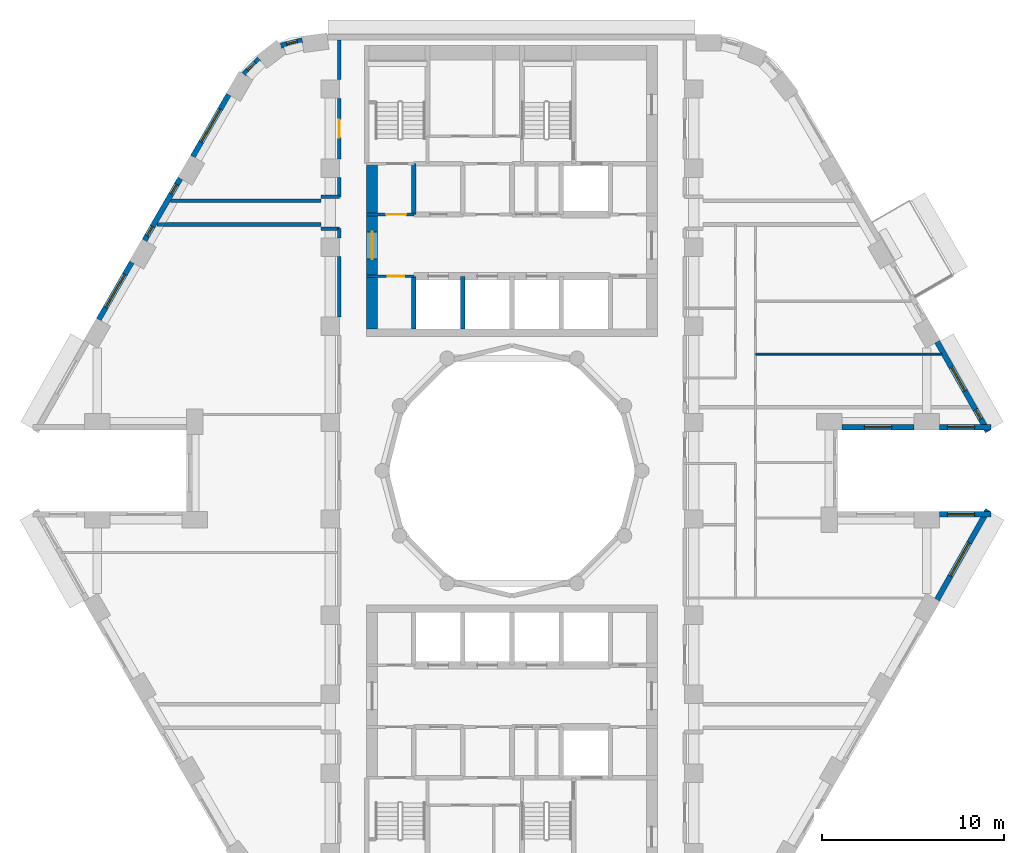
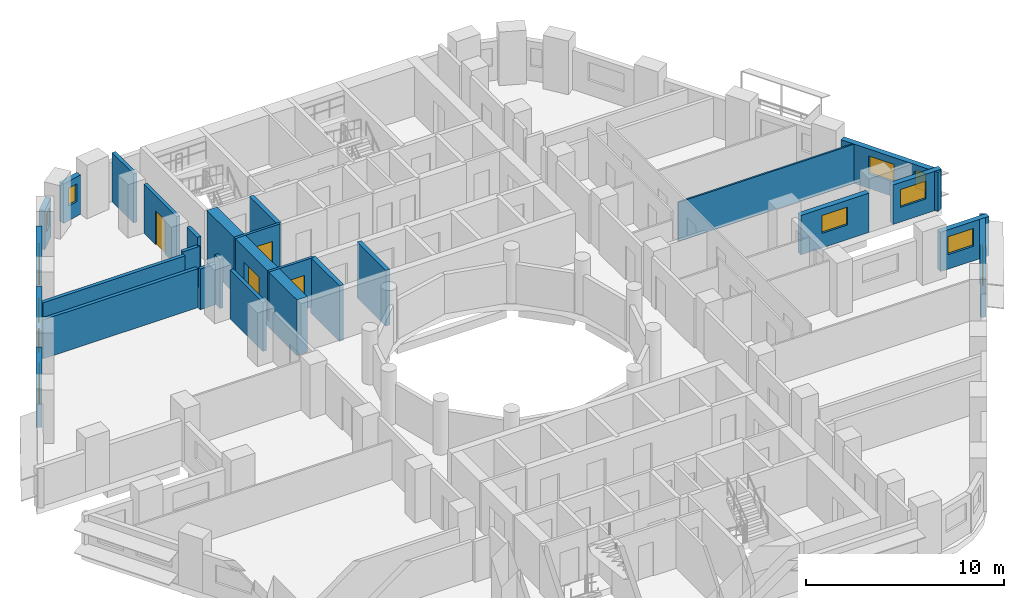
# One storey, part 6 of 13: 26 walls, 12 windows, 4 doors, 16 openings.
"""IFC4 building model written with IfcOpenShell, lengths in metres."""

import ifcopenshell
import ifcopenshell.guid

model = None  # the IFC model being written
_history = None  # IfcOwnerHistory: only IFC2X3 demands one
_inside = {}  # id of a spatial element -> (the spatial element, [elements in it])
_under = {}  # id of a project, library or spatial element -> (it, [spatial elements below it])
_declared = {}  # id of a project -> (the project, [libraries it declares])
_typed = {}  # id of a type object -> (the type object, [elements of that type])
_made_of = {}  # id of a material, layer set ... -> (it, [elements and type objects made of it])


def new_model(schema):
    """Start an empty IFC model of exactly this schema.

    Asked for "IFC4X3", IfcOpenShell would pick the latest addendum, in which some entities
    have other attributes; the version numbers below select the first issue.
    IFC2X3 requires an IfcOwnerHistory on every rooted entity: one is made here for all.
    """
    global model, _history
    if schema == "IFC4X3":
        model = ifcopenshell.file(schema_version=(4, 3, 0, 0))
    else:
        model = ifcopenshell.file(schema=schema)
    _inside.clear()
    _under.clear()
    _declared.clear()
    _typed.clear()
    _made_of.clear()
    _history = None
    if model.schema == "IFC2X3":
        org = make("IfcOrganization", Name="unknown")
        user = make(
            "IfcPersonAndOrganization",
            ThePerson=make("IfcPerson", FamilyName="unknown"),
            TheOrganization=org,
        )
        app = make(
            "IfcApplication",
            ApplicationDeveloper=org,
            Version="unknown",
            ApplicationFullName="unknown",
            ApplicationIdentifier="unknown",
        )
        _history = make(
            "IfcOwnerHistory",
            OwningUser=user,
            OwningApplication=app,
            ChangeAction="ADDED",
            CreationDate=0,
        )
    return model


def make(cls, **values):
    """One entity of the class cls with the attributes given. An attribute that is None is left unset."""
    return model.create_entity(
        cls, **{name: value for name, value in values.items() if value is not None}
    )


def rooted(cls, **values):
    """An entity with a GlobalId (a new one), such as an element, a storey or a relation."""
    return make(cls, GlobalId=ifcopenshell.guid.new(), OwnerHistory=_history, **values)


def si_unit(unit_type, name, prefix=None):
    """IfcSIUnit, for example si_unit("LENGTHUNIT", "METRE", prefix="MILLI")."""
    return make("IfcSIUnit", UnitType=unit_type, Prefix=prefix, Name=name)


def assignment(units):
    """IfcUnitAssignment: the units of a project."""
    return None if units is None else make("IfcUnitAssignment", Units=units)


def point(xyz):
    """IfcCartesianPoint."""
    return None if xyz is None else make("IfcCartesianPoint", Coordinates=xyz)


def direction(xyz):
    """IfcDirection."""
    return None if xyz is None else make("IfcDirection", DirectionRatios=xyz)


def frame(location, z_axis=None, x_axis=None):
    """IfcAxis2Placement3D, a coordinate frame: its origin and axes. An axis left out is left unset."""
    return make(
        "IfcAxis2Placement3D",
        Location=point(location),
        Axis=direction(z_axis),
        RefDirection=direction(x_axis),
    )


def frame_2d(location, x_axis=None):
    """IfcAxis2Placement2D, a coordinate frame in the plane: its origin and x axis."""
    return make(
        "IfcAxis2Placement2D", Location=point(location), RefDirection=direction(x_axis)
    )


def origin():
    """The frame at (0, 0, 0) with its axes left unset."""
    return frame((0.0, 0.0, 0.0))


def place(relative_to, where):
    """IfcLocalPlacement: puts the frame where relative to a parent placement (None: the world)."""
    return make(
        "IfcLocalPlacement", PlacementRelTo=relative_to, RelativePlacement=where
    )


def context(
    kind, dimensions, precision=None, world=None, true_north=None, identifier=None
):
    """IfcGeometricRepresentationContext, for example the 3D "Model" context."""
    return make(
        "IfcGeometricRepresentationContext",
        ContextIdentifier=identifier,
        ContextType=kind,
        CoordinateSpaceDimension=dimensions,
        Precision=precision,
        WorldCoordinateSystem=world,
        TrueNorth=true_north,
    )


def subcontext(parent, identifier, kind, view, scale=None):
    """IfcGeometricRepresentationSubContext, for example "Body" below "Model"."""
    return make(
        "IfcGeometricRepresentationSubContext",
        ContextIdentifier=identifier,
        ContextType=kind,
        ParentContext=parent,
        TargetScale=scale,
        TargetView=view,
    )


def project(units=None, contexts=None):
    """IfcProject with its units and contexts."""
    return rooted(
        "IfcProject",
        Name="project",
        RepresentationContexts=contexts,
        UnitsInContext=assignment(units),
    )


def spatial(cls, under=None, at=None, **own):
    """A site, building, storey or space (cls), placed at a placement, below another one or the project."""
    s = rooted(cls, ObjectPlacement=at, **own)
    if under is not None:
        _under.setdefault(under.id(), (under, []))[1].append(s)
    return s


def profile(cls, at=None, kind="AREA", **sizes):
    """A parametric profile (cls). Its sizes go by their IFC names, for example OverallWidth=200.0."""
    return make(cls, ProfileType=kind, Position=at, **sizes)


def rectangle(**sizes):
    """IfcRectangleProfileDef."""
    return profile("IfcRectangleProfileDef", **sizes)


def extrude(swept, where, along, depth):
    """IfcExtrudedAreaSolid: the profile swept, set in the frame where, extruded along a direction by depth."""
    return make(
        "IfcExtrudedAreaSolid",
        SweptArea=swept,
        Position=where,
        ExtrudedDirection=direction(along),
        Depth=depth,
    )


def shape(context_of_items, identifier, shape_type, items):
    """IfcShapeRepresentation: the items that make up one representation, for example the "Body"."""
    return make(
        "IfcShapeRepresentation",
        ContextOfItems=context_of_items,
        RepresentationIdentifier=identifier,
        RepresentationType=shape_type,
        Items=items,
    )


def material(Name=None, Category=None):
    """IfcMaterial."""
    return make("IfcMaterial", Name=Name, Category=Category)


def layer(
    of_material, thickness, ventilated=None, Name=None, Category=None, Priority=None
):
    """IfcMaterialLayer: one layer of a wall or slab, of a material (None: an air gap)."""
    return make(
        "IfcMaterialLayer",
        Material=of_material,
        LayerThickness=thickness,
        IsVentilated=ventilated,
        Name=Name,
        Category=Category,
        Priority=Priority,
    )


def layer_set(layers, Name=None):
    """IfcMaterialLayerSet."""
    return make("IfcMaterialLayerSet", MaterialLayers=layers, LayerSetName=Name)


def made_of(thing, what):
    """Note that an element or type object is made of a material, layer set ...; save() writes the relation."""
    if what is not None:
        _made_of.setdefault(what.id(), (what, []))[1].append(thing)
    return thing


def type_object(cls, material=None, **own):
    """A type object (cls), such as IfcWallType, which elements share."""
    return made_of(rooted(cls, **own), material)


def element(
    cls,
    number,
    at=None,
    inside=None,
    cuts=None,
    type_object=None,
    material=None,
    context=None,
    identifier="Body",
    shape_type=None,
    held_by="IfcProductDefinitionShape",
    body=None,
    shapes=None,
    **own,
):
    """One element of the class cls, such as IfcWall. Its Tag is "e" and its number.

    at: its placement. inside: the storey or other place that contains it. cuts: it is an
    opening in that element (IfcRelVoidsElement). A single representation is given by context,
    identifier, shape_type and body (its items); several are given by shapes. held_by: the class
    of the entity that holds the representations. save() writes the other relations.
    """
    e = rooted(cls, Tag="e%d" % number, ObjectPlacement=at, **own)
    if body is not None:
        shapes = [shape(context, identifier, shape_type, body)]
    if shapes is not None:
        e.Representation = make(held_by, Representations=shapes)
    if inside is not None:
        _inside.setdefault(inside.id(), (inside, []))[1].append(e)
    if cuts is not None:
        rooted(
            "IfcRelVoidsElement", RelatingBuildingElement=cuts, RelatedOpeningElement=e
        )
    if type_object is not None:
        _typed.setdefault(type_object.id(), (type_object, []))[1].append(e)
    return made_of(e, material)


def fill(opening, filler):
    """IfcRelFillsElement: the door or window that sits in an opening."""
    return rooted(
        "IfcRelFillsElement",
        RelatingOpeningElement=opening,
        RelatedBuildingElement=filler,
    )


def aggregate(whole, parts):
    """IfcRelAggregates: a whole, such as a stair, and the parts it consists of."""
    return rooted("IfcRelAggregates", RelatingObject=whole, RelatedObjects=parts)


def save(model, path):
    """Write the relations noted so far, then the file.

    IfcRelAggregates (storeys below a building ...), IfcRelContainedInSpatialStructure (elements
    in a storey), IfcRelDefinesByType, IfcRelAssociatesMaterial and IfcRelDeclares: one each for
    every whole, place, type object, material and project.
    """
    for whole, parts in _under.values():
        aggregate(whole, parts)
    for where, things in _inside.values():
        rooted(
            "IfcRelContainedInSpatialStructure",
            RelatedElements=things,
            RelatingStructure=where,
        )
    for kind, things in _typed.values():
        rooted("IfcRelDefinesByType", RelatedObjects=things, RelatingType=kind)
    for what, things in _made_of.values():
        rooted("IfcRelAssociatesMaterial", RelatedObjects=things, RelatingMaterial=what)
    for by, libraries in _declared.values():
        rooted("IfcRelDeclares", RelatingContext=by, RelatedDefinitions=libraries)
    model.write(path)


model = new_model("IFC4")

# Units and contexts
model_context = context("Model", 3, precision=1e-05, world=origin(), true_north=direction((0.0, 1.0)))
body_context = subcontext(model_context, "Body", "Model", "MODEL_VIEW")
ifc_project = project(units=[si_unit("LENGTHUNIT", "METRE"), si_unit("AREAUNIT", "SQUARE_METRE"), si_unit("VOLUMEUNIT", "CUBIC_METRE"), si_unit("PLANEANGLEUNIT", "RADIAN"), si_unit("MASSUNIT", "GRAM", prefix="KILO")], contexts=[model_context])

# Site, building, storey
site_placement = place(None, origin())
site = spatial("IfcSite", under=ifc_project, at=site_placement, CompositionType="ELEMENT")
building_placement = place(site_placement, origin())
building = spatial("IfcBuilding", under=site, at=building_placement, Name="Nakaniwa Court", CompositionType="ELEMENT")
storey_placement = place(building_placement, frame((0.0, 0.0, 77.699951171875)))
storey = spatial("IfcBuildingStorey", under=building, at=storey_placement, Name="L19", CompositionType="ELEMENT", Elevation=77.699951171875)

# Walls
ifc_material_1 = material(Name="Acoustic double stud partition")
ifc_layer_1 = layer(ifc_material_1, 0.199951171875)
ifc_layer_set_1 = layer_set([ifc_layer_1], Name="Acoustic double stud partition")
wall_type_1 = type_object("IfcWallType", Name="Acoustic double stud partition 200", PredefinedType="PARTITIONING", material=ifc_layer_set_1)
wall_1_placement = place(storey_placement, frame((60.456787109375, 93.550048828125, 0.0), z_axis=(0.0, 0.0, 1.0), x_axis=(1.0, 0.0, 0.0)))
element("IfcWall", 1, at=wall_1_placement, inside=storey, type_object=wall_type_1, Name="Partition PW-081", PredefinedType="PARTITIONING", context=body_context, shape_type="SweptSolid", body=[
    extrude(rectangle(XDim=9.043212890625, YDim=0.199951171875, at=frame_2d((4.521484375, 0.0))), origin(), (0.0, 0.0, 1.0), 2.405029296875),
])
for number, where, z_axis, x_axis, name in (
    (2, (69.5, 93.324951171875, 0.0), (0.0, 0.0, 1.0), (1.0, 0.0, 0.0), "Partition PW-083"),
    (3, (69.5, 95.074951171875, 0.0), (0.0, 0.0, 1.0), (1.0, 0.0, 0.0), "Partition PW-085"),
):
    element("IfcWall", number, at=place(storey_placement, frame(where, z_axis=z_axis, x_axis=x_axis)), inside=storey, type_object=wall_type_1, Name=name, PredefinedType="PARTITIONING", context=body_context, shape_type="SweptSolid", body=[
        extrude(rectangle(XDim=1.0, YDim=0.199951171875, at=frame_2d((0.5, 0.0))), origin(), (0.0, 0.0, 1.0), 2.505126953125),
    ])
wall_2_placement = place(storey_placement, frame((61.207275390625, 94.85009765625, 0.0), z_axis=(0.0, 0.0, 1.0), x_axis=(1.0, 0.0, 0.0)))
element("IfcWall", 4, at=wall_2_placement, inside=storey, type_object=wall_type_1, Name="Partition PW-087", PredefinedType="PARTITIONING", context=body_context, shape_type="SweptSolid", body=[
    extrude(rectangle(XDim=8.292724609375, YDim=0.199951171875, at=frame_2d((4.146484375, 0.0))), origin(), (0.0, 0.0, 1.0), 2.405029296875),
])
wall_3_placement = place(storey_placement, frame((70.5, 88.467041015625, 0.0), z_axis=(0.0, 0.0, 1.0), x_axis=(0.0, 1.0, 0.0)))
element("IfcWall", 5, at=wall_3_placement, inside=storey, type_object=wall_type_1, Name="Partition PW-102", PredefinedType="PARTITIONING", context=body_context, shape_type="SweptSolid", body=[
    extrude(rectangle(XDim=3.31591796875, YDim=0.199951171875, at=frame_2d((1.657958984375, 0.0))), origin(), (0.0, 0.0, 1.0), 3.025146484375),
])
wall_4_placement = place(storey_placement, frame((70.5, 92.81689453125, 0.0), z_axis=(0.0, 0.0, 1.0), x_axis=(0.0, 1.0, 0.0)))
element("IfcWall", 6, at=wall_4_placement, inside=storey, type_object=wall_type_1, Name="Partition PW-103", PredefinedType="PARTITIONING", context=body_context, shape_type="SweptSolid", body=[
    extrude(rectangle(XDim=0.510986328125, YDim=0.199951171875, at=frame_2d((0.25537109375, 0.0))), origin(), (0.0, 0.0, 1.0), 3.025146484375),
])
wall_5_placement = place(storey_placement, frame((70.5, 95.072021484375, 0.0), z_axis=(0.0, 0.0, 1.0), x_axis=(0.0, 1.0, 0.0)))
element("IfcWall", 7, at=wall_5_placement, inside=storey, type_object=wall_type_1, Name="Partition PW-104", PredefinedType="PARTITIONING", context=body_context, shape_type="SweptSolid", body=[
    extrude(rectangle(XDim=1.06103515625, YDim=0.199951171875, at=frame_2d((0.530517578125, 0.0))), origin(), (0.0, 0.0, 1.0), 3.025146484375),
])

# Wall, opening, door
wall_6_placement = place(storey_placement, frame((70.5, 97.1669921875, 0.0), z_axis=(0.0, 0.0, 1.0), x_axis=(0.0, 1.0, 0.0)))
wall_6 = element("IfcWall", 8, at=wall_6_placement, inside=storey, type_object=wall_type_1, Name="Partition PW-105", PredefinedType="PARTITIONING", context=body_context, shape_type="SweptSolid", body=[
    extrude(rectangle(XDim=3.31591796875, YDim=0.199951171875, at=frame_2d((1.657958984375, 0.0))), origin(), (0.0, 0.0, 1.0), 3.025146484375),
])
opening_1_placement = place(wall_6_placement, frame((1.157958984375, 0.0, 0.0)))
opening_1 = element("IfcOpeningElement", 9, at=opening_1_placement, cuts=wall_6, Name="Opening D-02-07", PredefinedType="OPENING", context=body_context, shape_type="SweptSolid", body=[
    extrude(rectangle(XDim=1.0, YDim=2.10009765625, at=frame_2d((0.5, 1.050048828125))), frame((0.0, 0.10986328125, 0.0), z_axis=(0.0, -1.0, 0.0), x_axis=(1.0, 0.0, 0.0)), (0.0, 0.0, 1.0), 0.219970703125),
])
ifc_material_2 = material(Name="Solid core timber door set, black veneer", Category="wood")
door_type_1 = type_object("IfcDoorType", Name="Internal door 1000", OperationType="NOTDEFINED", PredefinedType="DOOR", material=ifc_material_2)
door_1_placement = place(opening_1_placement, origin())
door_1 = element("IfcDoor", 10, at=door_1_placement, inside=storey, type_object=door_type_1, Name="Door D-02-07 L19-045", OperationType="SINGLE_SWING_RIGHT", OverallHeight=2.10009765625, OverallWidth=1.0, PredefinedType="DOOR", context=body_context, shape_type="SweptSolid", body=[
    extrude(rectangle(XDim=1.0, YDim=2.10009765625, at=frame_2d((0.5, 1.050048828125))), frame((0.0, 0.02490234375, 0.0), z_axis=(0.0, -1.0, 0.0), x_axis=(1.0, 0.0, 0.0)), (0.0, 0.0, 1.0), 0.050048828125),
])
fill(opening_1, door_1)

# Wall
wall_7_placement = place(storey_placement, frame((70.5, 101.51708984375, 0.0), z_axis=(0.0, 0.0, 1.0), x_axis=(0.0, 1.0, 0.0)))
element("IfcWall", 11, at=wall_7_placement, inside=storey, type_object=wall_type_1, Name="Partition PW-106", PredefinedType="PARTITIONING", context=body_context, shape_type="SweptSolid", body=[
    extrude(rectangle(XDim=2.182861328125, YDim=0.199951171875, at=frame_2d((1.09130859375, 0.0))), origin(), (0.0, 0.0, 1.0), 3.025146484375),
])

# Wall, opening, window
ifc_material_3 = material(Name="Charcoal ceramic cladding")
ifc_layer_2 = layer(ifc_material_3, 0.02, Name="Ceramic cladding")
ifc_material_4 = material(Name="Ventilated air cavity")
ifc_layer_3 = layer(ifc_material_4, 0.04, ventilated=True, Name="Ventilated cavity")
ifc_material_5 = material(Name="Mineral wool insulation")
ifc_layer_4 = layer(ifc_material_5, 0.1, Name="Insulation")
ifc_material_6 = material(Name="Cement bonded sheathing board")
ifc_layer_5 = layer(ifc_material_6, 0.012, Name="Sheathing")
ifc_material_7 = material(Name="Cold-formed galvanised stud frame with mineral wool infill")
ifc_layer_6 = layer(ifc_material_7, 0.1, Name="Stud frame")
ifc_material_8 = material(Name="Fire-rated gypsum plasterboard lining")
ifc_layer_7 = layer(ifc_material_8, 0.028, Name="Lining")
ifc_layer_set_2 = layer_set([ifc_layer_2, ifc_layer_3, ifc_layer_4, ifc_layer_5, ifc_layer_6, ifc_layer_7], Name="Charcoal ceramic faced external wall system")
wall_type_2 = type_object("IfcWallType", Name="Black ceramic faced external wall 300", PredefinedType="SOLIDWALL", material=ifc_layer_set_2)
wall_8_placement = place(storey_placement, frame((98.154296875, 82.39990234375, 0.0), z_axis=(0.0, 0.0, 1.0), x_axis=(1.0, 0.0, 0.0)))
wall_8 = element("IfcWall", 12, at=wall_8_placement, inside=storey, type_object=wall_type_2, Name="L19 external wall 00", PredefinedType="SOLIDWALL", context=body_context, shape_type="SweptSolid", body=[
    extrude(rectangle(XDim=3.97265625, YDim=0.300048828125, at=frame_2d((1.986328125, 0.0))), origin(), (0.0, 0.0, 1.0), 2.425048828125),
])
opening_2_placement = place(wall_8_placement, frame((1.236328125, 0.0, 0.89990234375)))
opening_2 = element("IfcOpeningElement", 13, at=opening_2_placement, cuts=wall_8, Name="Opening W5.01", PredefinedType="OPENING", context=body_context, shape_type="SweptSolid", body=[
    extrude(rectangle(XDim=1.5, YDim=1.10009765625, at=frame_2d((0.75, 0.550048828125))), frame((0.0, 0.159912109375, 0.0), z_axis=(0.0, -1.0, 0.0), x_axis=(1.0, 0.0, 0.0)), (0.0, 0.0, 1.0), 0.320068359375),
])
ifc_material_9 = material(Name="Black anodised aluminium frame with dark low-E laminated double glazing", Category="aluminium")
window_type_1 = type_object("IfcWindowType", Name="Dark glass window 1500x1100 sill 900", PartitioningType="SINGLE_PANEL", PredefinedType="WINDOW", material=ifc_material_9)
window_1_placement = place(opening_2_placement, origin())
window_1 = element("IfcWindow", 14, at=window_1_placement, inside=storey, type_object=window_type_1, Name="L19 bedroom window 00-0", OverallHeight=1.10009765625, OverallWidth=1.5, PartitioningType="SINGLE_PANEL", PredefinedType="WINDOW", context=body_context, shape_type="SweptSolid", body=[
    extrude(rectangle(XDim=1.5, YDim=1.10009765625, at=frame_2d((0.75, 0.550048828125))), frame((0.0, 0.030029296875, 0.0), z_axis=(0.0, -1.0, 0.0), x_axis=(1.0, 0.0, 0.0)), (0.0, 0.0, 1.0), 0.06005859375),
])
fill(opening_2, window_1)

wall_9_placement = place(storey_placement, frame((103.518798828125, 82.39990234375, 0.0), z_axis=(0.0, 0.0, 1.0), x_axis=(1.0, 0.0, 0.0)))
wall_9 = element("IfcWall", 15, at=wall_9_placement, inside=storey, type_object=wall_type_2, Name="L19 external wall 01", PredefinedType="SOLIDWALL", context=body_context, shape_type="SweptSolid", body=[
    extrude(rectangle(XDim=2.837890625, YDim=0.300048828125, at=frame_2d((1.4189453125, 0.0))), origin(), (0.0, 0.0, 1.0), 2.425048828125),
])
opening_3_placement = place(wall_9_placement, frame((0.44384765625, 0.0, 0.89990234375)))
opening_3 = element("IfcOpeningElement", 16, at=opening_3_placement, cuts=wall_9, Name="Opening W5.02", PredefinedType="OPENING", context=body_context, shape_type="SweptSolid", body=[
    extrude(rectangle(XDim=1.5, YDim=1.10009765625, at=frame_2d((0.75, 0.550048828125))), frame((0.0, 0.159912109375, 0.0), z_axis=(0.0, -1.0, 0.0), x_axis=(1.0, 0.0, 0.0)), (0.0, 0.0, 1.0), 0.320068359375),
])
window_2_placement = place(opening_3_placement, origin())
window_2 = element("IfcWindow", 17, at=window_2_placement, inside=storey, type_object=window_type_1, Name="L19 bedroom window 01-0", OverallHeight=1.10009765625, OverallWidth=1.5, PartitioningType="SINGLE_PANEL", PredefinedType="WINDOW", context=body_context, shape_type="SweptSolid", body=[
    extrude(rectangle(XDim=1.5, YDim=1.10009765625, at=frame_2d((0.75, 0.550048828125))), frame((0.0, 0.030029296875, 0.0), z_axis=(0.0, -1.0, 0.0), x_axis=(1.0, 0.0, 0.0)), (0.0, 0.0, 1.0), 0.06005859375),
])
fill(opening_3, window_2)

# Wall, openings, windows
wall_10_placement = place(storey_placement, frame((106.18603515625, 82.1533203125, 0.0), z_axis=(0.0, 0.0, 1.0), x_axis=(-0.492456858874, 0.870336855561, 0.0)))
wall_10 = element("IfcWall", 18, at=wall_10_placement, inside=storey, type_object=wall_type_2, Name="L19 external wall 02", PredefinedType="SOLIDWALL", context=body_context, shape_type="SweptSolid", body=[
    extrude(rectangle(XDim=5.676513671875, YDim=0.300048828125, at=frame_2d((2.83837890625, 0.0))), origin(), (0.0, 0.0, 1.0), 2.425048828125),
])
opening_4_placement = place(wall_10_placement, frame((0.797607421875, 0.0, 0.89990234375)))
opening_4 = element("IfcOpeningElement", 19, at=opening_4_placement, cuts=wall_10, Name="Opening W8.03", PredefinedType="OPENING", context=body_context, shape_type="SweptSolid", body=[
    extrude(rectangle(XDim=0.60009765625, YDim=1.10009765625, at=frame_2d((0.300048828125, 0.550048828125))), frame((0.0, 0.159912109375, 0.0), z_axis=(0.0, -1.0, 0.0), x_axis=(1.0, 0.0, 0.0)), (0.0, 0.0, 1.0), 0.320068359375),
])
opening_5_placement = place(wall_10_placement, frame((2.569580078125, 0.0, 0.89990234375)))
opening_5 = element("IfcOpeningElement", 20, at=opening_5_placement, cuts=wall_10, Name="Opening W5.04", PredefinedType="OPENING", context=body_context, shape_type="SweptSolid", body=[
    extrude(rectangle(XDim=1.5, YDim=1.10009765625, at=frame_2d((0.75, 0.550048828125))), frame((0.0, 0.159912109375, 0.0), z_axis=(0.0, -1.0, 0.0), x_axis=(1.0, 0.0, 0.0)), (0.0, 0.0, 1.0), 0.320068359375),
])
window_3_placement = place(opening_5_placement, origin())
window_3 = element("IfcWindow", 21, at=window_3_placement, inside=storey, type_object=window_type_1, Name="L19 bedroom window 02-1", OverallHeight=1.10009765625, OverallWidth=1.5, PartitioningType="SINGLE_PANEL", PredefinedType="WINDOW", context=body_context, shape_type="SweptSolid", body=[
    extrude(rectangle(XDim=1.5, YDim=1.10009765625, at=frame_2d((0.75, 0.550048828125))), frame((0.0, 0.030029296875, 0.0), z_axis=(0.0, -1.0, 0.0), x_axis=(1.0, 0.0, 0.0)), (0.0, 0.0, 1.0), 0.06005859375),
])
fill(opening_5, window_3)
window_type_2 = type_object("IfcWindowType", Name="Dark glass window 600x1100 sill 900", PartitioningType="SINGLE_PANEL", PredefinedType="WINDOW", material=ifc_material_9)
window_4_placement = place(opening_4_placement, origin())
window_4 = element("IfcWindow", 22, at=window_4_placement, inside=storey, type_object=window_type_2, Name="L19 bedroom window 02-0", OverallHeight=1.10009765625, OverallWidth=0.60009765625, PartitioningType="SINGLE_PANEL", PredefinedType="WINDOW", context=body_context, shape_type="SweptSolid", body=[
    extrude(rectangle(XDim=0.60009765625, YDim=1.10009765625, at=frame_2d((0.300048828125, 0.550048828125))), frame((0.0, 0.030029296875, 0.0), z_axis=(0.0, -1.0, 0.0), x_axis=(1.0, 0.0, 0.0)), (0.0, 0.0, 1.0), 0.06005859375),
])
fill(opening_4, window_4)

# Wall, opening, window
wall_11_placement = place(storey_placement, frame((68.455810546875, 103.68310546875, 0.0), z_axis=(0.0, 0.0, 1.0), x_axis=(-0.969485113966, -0.245150186208, 0.0)))
wall_11 = element("IfcWall", 23, at=wall_11_placement, inside=storey, type_object=wall_type_2, Name="L19 external wall 09", PredefinedType="SOLIDWALL", context=body_context, shape_type="SweptSolid", body=[
    extrude(rectangle(XDim=1.2080078125, YDim=0.300048828125, at=frame_2d((0.60400390625, 0.0))), origin(), (0.0, 0.0, 1.0), 2.425048828125),
])
opening_6_placement = place(wall_11_placement, frame((0.279541015625, 0.0, 0.89990234375)))
opening_6 = element("IfcOpeningElement", 24, at=opening_6_placement, cuts=wall_11, Name="Opening W8.10", PredefinedType="OPENING", context=body_context, shape_type="SweptSolid", body=[
    extrude(rectangle(XDim=0.60009765625, YDim=1.10009765625, at=frame_2d((0.300048828125, 0.550048828125))), frame((0.0, 0.159912109375, 0.0), z_axis=(0.0, -1.0, 0.0), x_axis=(1.0, 0.0, 0.0)), (0.0, 0.0, 1.0), 0.320068359375),
])
window_5_placement = place(opening_6_placement, origin())
window_5 = element("IfcWindow", 25, at=window_5_placement, inside=storey, type_object=window_type_2, Name="L19 habitable room window 09-0", OverallHeight=1.10009765625, OverallWidth=0.60009765625, PartitioningType="SINGLE_PANEL", PredefinedType="WINDOW", context=body_context, shape_type="SweptSolid", body=[
    extrude(rectangle(XDim=0.60009765625, YDim=1.10009765625, at=frame_2d((0.300048828125, 0.550048828125))), frame((0.0, 0.030029296875, 0.0), z_axis=(0.0, -1.0, 0.0), x_axis=(1.0, 0.0, 0.0)), (0.0, 0.0, 1.0), 0.06005859375),
])
fill(opening_6, window_5)

wall_12_placement = place(storey_placement, frame((66.085205078125, 102.66259765625, 0.0), z_axis=(0.0, 0.0, 1.0), x_axis=(-0.708951665509, -0.705257070842, 0.0)))
wall_12 = element("IfcWall", 26, at=wall_12_placement, inside=storey, type_object=wall_type_2, Name="L19 external wall 10", PredefinedType="SOLIDWALL", context=body_context, shape_type="SweptSolid", body=[
    extrude(rectangle(XDim=1.189453125, YDim=0.300048828125, at=frame_2d((0.5947265625, 0.0))), origin(), (0.0, 0.0, 1.0), 2.425048828125),
])
opening_7_placement = place(wall_12_placement, frame((0.284423828125, 0.0, 0.89990234375)))
opening_7 = element("IfcOpeningElement", 27, at=opening_7_placement, cuts=wall_12, Name="Opening W8.11", PredefinedType="OPENING", context=body_context, shape_type="SweptSolid", body=[
    extrude(rectangle(XDim=0.60009765625, YDim=1.10009765625, at=frame_2d((0.300048828125, 0.550048828125))), frame((0.0, 0.159912109375, 0.0), z_axis=(0.0, -1.0, 0.0), x_axis=(1.0, 0.0, 0.0)), (0.0, 0.0, 1.0), 0.320068359375),
])
window_6_placement = place(opening_7_placement, origin())
window_6 = element("IfcWindow", 28, at=window_6_placement, inside=storey, type_object=window_type_2, Name="L19 habitable room window 10-0", OverallHeight=1.10009765625, OverallWidth=0.60009765625, PartitioningType="SINGLE_PANEL", PredefinedType="WINDOW", context=body_context, shape_type="SweptSolid", body=[
    extrude(rectangle(XDim=0.60009765625, YDim=1.10009765625, at=frame_2d((0.300048828125, 0.550048828125))), frame((0.0, 0.030029296875, 0.0), z_axis=(0.0, -1.0, 0.0), x_axis=(1.0, 0.0, 0.0)), (0.0, 0.0, 1.0), 0.06005859375),
])
fill(opening_7, window_6)

wall_13_placement = place(storey_placement, frame((64.40966796875, 100.69677734375, 0.0), z_axis=(0.0, 0.0, 1.0), x_axis=(-0.500003583557, -0.866023334807, 0.0)))
wall_13 = element("IfcWall", 29, at=wall_13_placement, inside=storey, type_object=wall_type_2, Name="L19 external wall 11", PredefinedType="SOLIDWALL", context=body_context, shape_type="SweptSolid", body=[
    extrude(rectangle(XDim=3.93408203125, YDim=0.300048828125, at=frame_2d((1.967041015625, 0.0))), origin(), (0.0, 0.0, 1.0), 2.425048828125),
])
opening_8_placement = place(wall_13_placement, frame((0.9169921875, 0.0, 0.89990234375)))
opening_8 = element("IfcOpeningElement", 30, at=opening_8_placement, cuts=wall_13, Name="Opening W7.12", PredefinedType="OPENING", context=body_context, shape_type="SweptSolid", body=[
    extrude(rectangle(XDim=2.10009765625, YDim=1.10009765625, at=frame_2d((1.050048828125, 0.550048828125))), frame((0.0, 0.159912109375, 0.0), z_axis=(0.0, -1.0, 0.0), x_axis=(1.0, 0.0, 0.0)), (0.0, 0.0, 1.0), 0.320068359375),
])
window_type_3 = type_object("IfcWindowType", Name="Dark glass window 2100x1100 sill 900", PartitioningType="SINGLE_PANEL", PredefinedType="WINDOW", material=ifc_material_9)
window_7_placement = place(opening_8_placement, origin())
window_7 = element("IfcWindow", 31, at=window_7_placement, inside=storey, type_object=window_type_3, Name="L19 habitable room window 11-0", OverallHeight=1.10009765625, OverallWidth=2.10009765625, PartitioningType="SINGLE_PANEL", PredefinedType="WINDOW", context=body_context, shape_type="SweptSolid", body=[
    extrude(rectangle(XDim=2.10009765625, YDim=1.10009765625, at=frame_2d((1.050048828125, 0.550048828125))), frame((0.0, 0.030029296875, 0.0), z_axis=(0.0, -1.0, 0.0), x_axis=(1.0, 0.0, 0.0)), (0.0, 0.0, 1.0), 0.06005859375),
])
fill(opening_8, window_7)

# Wall, openings, windows
wall_14_placement = place(storey_placement, frame((61.74658203125, 96.08447265625, 0.0), z_axis=(0.0, 0.0, 1.0), x_axis=(-0.499957037901, -0.866050206543, 0.0)))
wall_14 = element("IfcWall", 32, at=wall_14_placement, inside=storey, type_object=wall_type_2, Name="L19 external wall 12", PredefinedType="SOLIDWALL", context=body_context, shape_type="SweptSolid", body=[
    extrude(rectangle(XDim=3.933837890625, YDim=0.300048828125, at=frame_2d((1.966796875, 0.0))), origin(), (0.0, 0.0, 1.0), 2.425048828125),
])
opening_9_placement = place(wall_14_placement, frame((0.388671875, 0.0, 0.89990234375)))
opening_9 = element("IfcOpeningElement", 33, at=opening_9_placement, cuts=wall_14, Name="Opening W8.13", PredefinedType="OPENING", context=body_context, shape_type="SweptSolid", body=[
    extrude(rectangle(XDim=0.60009765625, YDim=1.10009765625, at=frame_2d((0.300048828125, 0.550048828125))), frame((0.0, 0.159912109375, 0.0), z_axis=(0.0, -1.0, 0.0), x_axis=(1.0, 0.0, 0.0)), (0.0, 0.0, 1.0), 0.320068359375),
])
opening_10_placement = place(wall_14_placement, frame((3.05615234375, 0.0, 0.89990234375)))
opening_10 = element("IfcOpeningElement", 34, at=opening_10_placement, cuts=wall_14, Name="Opening W8.14", PredefinedType="OPENING", context=body_context, shape_type="SweptSolid", body=[
    extrude(rectangle(XDim=0.60009765625, YDim=1.10009765625, at=frame_2d((0.300048828125, 0.550048828125))), frame((0.0, 0.159912109375, 0.0), z_axis=(0.0, -1.0, 0.0), x_axis=(1.0, 0.0, 0.0)), (0.0, 0.0, 1.0), 0.320068359375),
])
window_8_placement = place(opening_9_placement, origin())
window_8 = element("IfcWindow", 35, at=window_8_placement, inside=storey, type_object=window_type_2, Name="L19 habitable room window 12-0", OverallHeight=1.10009765625, OverallWidth=0.60009765625, PartitioningType="SINGLE_PANEL", PredefinedType="WINDOW", context=body_context, shape_type="SweptSolid", body=[
    extrude(rectangle(XDim=0.60009765625, YDim=1.10009765625, at=frame_2d((0.300048828125, 0.550048828125))), frame((0.0, 0.030029296875, 0.0), z_axis=(0.0, -1.0, 0.0), x_axis=(1.0, 0.0, 0.0)), (0.0, 0.0, 1.0), 0.06005859375),
])
fill(opening_9, window_8)
window_9_placement = place(opening_10_placement, origin())
window_9 = element("IfcWindow", 36, at=window_9_placement, inside=storey, type_object=window_type_2, Name="L19 habitable room window 12-2", OverallHeight=1.10009765625, OverallWidth=0.60009765625, PartitioningType="SINGLE_PANEL", PredefinedType="WINDOW", context=body_context, shape_type="SweptSolid", body=[
    extrude(rectangle(XDim=0.60009765625, YDim=1.10009765625, at=frame_2d((0.300048828125, 0.550048828125))), frame((0.0, 0.030029296875, 0.0), z_axis=(0.0, -1.0, 0.0), x_axis=(1.0, 0.0, 0.0)), (0.0, 0.0, 1.0), 0.06005859375),
])
fill(opening_10, window_9)

# Wall, opening, window
wall_15_placement = place(storey_placement, frame((59.083740234375, 91.471923828125, 0.0), z_axis=(0.0, 0.0, 1.0), x_axis=(-0.500009139881, -0.866020126807, 0.0)))
wall_15 = element("IfcWall", 37, at=wall_15_placement, inside=storey, type_object=wall_type_2, Name="L19 external wall 13", PredefinedType="SOLIDWALL", context=body_context, shape_type="SweptSolid", body=[
    extrude(rectangle(XDim=3.63671875, YDim=0.300048828125, at=frame_2d((1.818359375, 0.0))), origin(), (0.0, 0.0, 1.0), 2.425048828125),
])
opening_11_placement = place(wall_15_placement, frame((0.768310546875, 0.0, 0.89990234375)))
opening_11 = element("IfcOpeningElement", 38, at=opening_11_placement, cuts=wall_15, Name="Opening W7.15", PredefinedType="OPENING", context=body_context, shape_type="SweptSolid", body=[
    extrude(rectangle(XDim=2.10009765625, YDim=1.10009765625, at=frame_2d((1.050048828125, 0.550048828125))), frame((0.0, 0.159912109375, 0.0), z_axis=(0.0, -1.0, 0.0), x_axis=(1.0, 0.0, 0.0)), (0.0, 0.0, 1.0), 0.320068359375),
])
window_10_placement = place(opening_11_placement, origin())
window_10 = element("IfcWindow", 39, at=window_10_placement, inside=storey, type_object=window_type_3, Name="L19 habitable room window 13-0", OverallHeight=1.10009765625, OverallWidth=2.10009765625, PartitioningType="SINGLE_PANEL", PredefinedType="WINDOW", context=body_context, shape_type="SweptSolid", body=[
    extrude(rectangle(XDim=2.10009765625, YDim=1.10009765625, at=frame_2d((1.050048828125, 0.550048828125))), frame((0.0, 0.030029296875, 0.0), z_axis=(0.0, -1.0, 0.0), x_axis=(1.0, 0.0, 0.0)), (0.0, 0.0, 1.0), 0.06005859375),
])
fill(opening_11, window_10)

wall_16_placement = place(storey_placement, frame((103.390625, 72.90625, 0.0), z_axis=(0.0, 0.0, 1.0), x_axis=(0.492456858874, 0.870336855561, 0.0)))
wall_16 = element("IfcWall", 40, at=wall_16_placement, inside=storey, type_object=wall_type_2, Name="L19 external wall 32", PredefinedType="SOLIDWALL", context=body_context, shape_type="SweptSolid", body=[
    extrude(rectangle(XDim=5.676513671875, YDim=0.300048828125, at=frame_2d((2.83837890625, 0.0))), origin(), (0.0, 0.0, 1.0), 2.425048828125),
])
opening_12_placement = place(wall_16_placement, frame((1.498046875, 0.0, 0.89990234375)))
opening_12 = element("IfcOpeningElement", 41, at=opening_12_placement, cuts=wall_16, Name="Opening W7.32", PredefinedType="OPENING", context=body_context, shape_type="SweptSolid", body=[
    extrude(rectangle(XDim=2.10009765625, YDim=1.10009765625, at=frame_2d((1.050048828125, 0.550048828125))), frame((0.0, 0.159912109375, 0.0), z_axis=(0.0, -1.0, 0.0), x_axis=(1.0, 0.0, 0.0)), (0.0, 0.0, 1.0), 0.320068359375),
])
window_11_placement = place(opening_12_placement, origin())
window_11 = element("IfcWindow", 42, at=window_11_placement, inside=storey, type_object=window_type_3, Name="L19 living window 32-0", OverallHeight=1.10009765625, OverallWidth=2.10009765625, PartitioningType="SINGLE_PANEL", PredefinedType="WINDOW", context=body_context, shape_type="SweptSolid", body=[
    extrude(rectangle(XDim=2.10009765625, YDim=1.10009765625, at=frame_2d((1.050048828125, 0.550048828125))), frame((0.0, 0.030029296875, 0.0), z_axis=(0.0, -1.0, 0.0), x_axis=(1.0, 0.0, 0.0)), (0.0, 0.0, 1.0), 0.06005859375),
])
fill(opening_12, window_11)

wall_17_placement = place(storey_placement, frame((106.356689453125, 77.60009765625, 0.0), z_axis=(0.0, 0.0, 1.0), x_axis=(-1.0, 0.0, 0.0)))
wall_17 = element("IfcWall", 43, at=wall_17_placement, inside=storey, type_object=wall_type_2, Name="L19 external wall 33", PredefinedType="SOLIDWALL", context=body_context, shape_type="SweptSolid", body=[
    extrude(rectangle(XDim=2.837890625, YDim=0.300048828125, at=frame_2d((1.4189453125, 0.0))), origin(), (0.0, 0.0, 1.0), 2.425048828125),
])
opening_13_placement = place(wall_17_placement, frame((0.901611328125, 0.0, 0.89990234375)))
opening_13 = element("IfcOpeningElement", 44, at=opening_13_placement, cuts=wall_17, Name="Opening W5.33", PredefinedType="OPENING", context=body_context, shape_type="SweptSolid", body=[
    extrude(rectangle(XDim=1.5, YDim=1.10009765625, at=frame_2d((0.75, 0.550048828125))), frame((0.0, 0.159912109375, 0.0), z_axis=(0.0, -1.0, 0.0), x_axis=(1.0, 0.0, 0.0)), (0.0, 0.0, 1.0), 0.320068359375),
])
window_12_placement = place(opening_13_placement, origin())
window_12 = element("IfcWindow", 45, at=window_12_placement, inside=storey, type_object=window_type_1, Name="L19 living window 33-0", OverallHeight=1.10009765625, OverallWidth=1.5, PartitioningType="SINGLE_PANEL", PredefinedType="WINDOW", context=body_context, shape_type="SweptSolid", body=[
    extrude(rectangle(XDim=1.5, YDim=1.10009765625, at=frame_2d((0.75, 0.550048828125))), frame((0.0, 0.030029296875, 0.0), z_axis=(0.0, -1.0, 0.0), x_axis=(1.0, 0.0, 0.0)), (0.0, 0.0, 1.0), 0.06005859375),
])
fill(opening_13, window_12)

# Wall, opening, door
ifc_material_10 = material(Name="Blockwork partition", Category="masonry")
ifc_layer_8 = layer(ifc_material_10, 0.14990234375)
ifc_layer_set_3 = layer_set([ifc_layer_8], Name="Blockwork partition")
wall_type_3 = type_object("IfcWallType", Name="Blockwork partition 150", PredefinedType="PARTITIONING", material=ifc_layer_set_3)
wall_18_placement = place(storey_placement, frame((74.60009765625, 90.699951171875, 0.0), z_axis=(0.0, 0.0, 1.0), x_axis=(-1.0, 0.0, 0.0)))
wall_18 = element("IfcWall", 46, at=wall_18_placement, inside=storey, type_object=wall_type_3, Name="Partition PW-003", PredefinedType="PARTITIONING", context=body_context, shape_type="SweptSolid", body=[
    extrude(rectangle(XDim=2.60009765625, YDim=0.14990234375, at=frame_2d((1.300048828125, 0.0))), origin(), (0.0, 0.0, 1.0), 3.025146484375),
])
opening_14_placement = place(wall_18_placement, frame((0.52490234375, 0.0, 0.0)))
opening_14 = element("IfcOpeningElement", 47, at=opening_14_placement, cuts=wall_18, Name="Opening D-05-01", PredefinedType="OPENING", context=body_context, shape_type="SweptSolid", body=[
    extrude(rectangle(XDim=0.89990234375, YDim=2.10009765625, at=frame_2d((0.449951171875, 1.050048828125))), frame((0.0, 0.0849609375, 0.0), z_axis=(0.0, -1.0, 0.0), x_axis=(1.0, 0.0, 0.0)), (0.0, 0.0, 1.0), 0.169921875),
])
ifc_material_11 = material(Name="Fire rated steel door set", Category="steel")
door_type_2 = type_object("IfcDoorType", Name="Service room door 900", OperationType="NOTDEFINED", PredefinedType="DOOR", material=ifc_material_11)
door_2_placement = place(opening_14_placement, origin())
door_2 = element("IfcDoor", 48, at=door_2_placement, inside=storey, type_object=door_type_2, Name="Door D-05-01 L19-001", OperationType="SINGLE_SWING_RIGHT", OverallHeight=2.10009765625, OverallWidth=0.89990234375, PredefinedType="DOOR", context=body_context, shape_type="SweptSolid", body=[
    extrude(rectangle(XDim=0.89990234375, YDim=2.10009765625, at=frame_2d((0.449951171875, 1.050048828125))), frame((0.0, 0.02490234375, 0.0), z_axis=(0.0, -1.0, 0.0), x_axis=(1.0, 0.0, 0.0)), (0.0, 0.0, 1.0), 0.050048828125),
])
fill(opening_14, door_2)

wall_19_placement = place(storey_placement, frame((72.0, 94.10009765625, 0.0), z_axis=(0.0, 0.0, 1.0), x_axis=(1.0, 0.0, 0.0)))
wall_19 = element("IfcWall", 49, at=wall_19_placement, inside=storey, type_object=wall_type_3, Name="Partition PW-016", PredefinedType="PARTITIONING", context=body_context, shape_type="SweptSolid", body=[
    extrude(rectangle(XDim=2.60302734375, YDim=0.14990234375, at=frame_2d((1.301513671875, 0.0))), origin(), (0.0, 0.0, 1.0), 3.025146484375),
])
opening_15_placement = place(wall_19_placement, frame((1.074951171875, 0.0, 0.0)))
opening_15 = element("IfcOpeningElement", 50, at=opening_15_placement, cuts=wall_19, Name="Opening D-08-01", PredefinedType="OPENING", context=body_context, shape_type="SweptSolid", body=[
    extrude(rectangle(XDim=1.10009765625, YDim=2.10009765625, at=frame_2d((0.550048828125, 1.050048828125))), frame((0.0, 0.0849609375, 0.0), z_axis=(0.0, -1.0, 0.0), x_axis=(1.0, 0.0, 0.0)), (0.0, 0.0, 1.0), 0.169921875),
])
door_type_3 = type_object("IfcDoorType", Name="Stair lobby door 1100", OperationType="NOTDEFINED", PredefinedType="DOOR", material=ifc_material_11)
door_3_placement = place(opening_15_placement, origin())
door_3 = element("IfcDoor", 51, at=door_3_placement, inside=storey, type_object=door_type_3, Name="Door D-08-01 L19-003", OperationType="SINGLE_SWING_RIGHT", OverallHeight=2.10009765625, OverallWidth=1.10009765625, PredefinedType="DOOR", context=body_context, shape_type="SweptSolid", body=[
    extrude(rectangle(XDim=1.10009765625, YDim=2.10009765625, at=frame_2d((0.550048828125, 1.050048828125))), frame((0.0, 0.02490234375, 0.0), z_axis=(0.0, -1.0, 0.0), x_axis=(1.0, 0.0, 0.0)), (0.0, 0.0, 1.0), 0.050048828125),
])
fill(opening_15, door_3)

ifc_material_12 = material(Name="Concrete C80/100", Category="concrete")
ifc_layer_9 = layer(ifc_material_12, 0.60009765625)
ifc_layer_set_4 = layer_set([ifc_layer_9], Name="Concrete C80/100")
wall_type_4 = type_object("IfcWallType", Name="Concrete core side wall 600 C80", PredefinedType="SHEAR", material=ifc_layer_set_4)
wall_20_placement = place(storey_placement, frame((72.300048828125, 87.800048828125, -0.409912109375), z_axis=(0.0, 0.0, 1.0), x_axis=(0.0, 1.0, 0.0)))
wall_20 = element("IfcWall", 52, at=wall_20_placement, inside=storey, type_object=wall_type_4, Name="Core wall SW-04", PredefinedType="SHEAR", context=body_context, shape_type="SweptSolid", body=[
    extrude(rectangle(XDim=9.099853515625, YDim=0.60009765625, at=frame_2d((4.5498046875, 0.0))), origin(), (0.0, 0.0, 1.0), 3.43505859375),
])
opening_16_placement = place(wall_20_placement, frame((3.85009765625, 0.0, 0.409912109375)))
opening_16 = element("IfcOpeningElement", 53, at=opening_16_placement, cuts=wall_20, Name="Opening D-07-02", PredefinedType="OPENING", context=body_context, shape_type="SweptSolid", body=[
    extrude(rectangle(XDim=1.5, YDim=2.10009765625, at=frame_2d((0.75, 1.050048828125))), frame((0.0, 0.31005859375, 0.0), z_axis=(0.0, -1.0, 0.0), x_axis=(1.0, 0.0, 0.0)), (0.0, 0.0, 1.0), 0.6201171875),
])
ifc_material_13 = material(Name="Glazed fire rated steel double door set", Category="steel")
door_type_4 = type_object("IfcDoorType", Name="Lobby double door 1500", OperationType="NOTDEFINED", PredefinedType="DOOR", material=ifc_material_13)
door_4_placement = place(opening_16_placement, origin())
door_4 = element("IfcDoor", 54, at=door_4_placement, inside=storey, type_object=door_type_4, Name="Door D-07-02 L19-048", OperationType="DOUBLE_DOOR_SINGLE_SWING", OverallHeight=2.10009765625, OverallWidth=1.5, PredefinedType="DOOR", context=body_context, shape_type="SweptSolid", body=[
    extrude(rectangle(XDim=1.5, YDim=2.10009765625, at=frame_2d((0.75, 1.050048828125))), frame((0.0, 0.02490234375, 0.0), z_axis=(0.0, -1.0, 0.0), x_axis=(1.0, 0.0, 0.0)), (0.0, 0.0, 1.0), 0.050048828125),
])
fill(opening_16, door_4)

# Walls
ifc_layer_10 = layer(ifc_material_12, 0.25)
ifc_layer_set_5 = layer_set([ifc_layer_10], Name="Concrete C80/100")
wall_type_5 = type_object("IfcWallType", Name="Concrete shaft wall 250 C80", PredefinedType="SHEAR", material=ifc_layer_set_5)
wall_21_placement = place(storey_placement, frame((74.60009765625, 87.800048828125, -0.409912109375), z_axis=(0.0, 0.0, 1.0), x_axis=(0.0, 1.0, 0.0)))
element("IfcWall", 55, at=wall_21_placement, inside=storey, type_object=wall_type_5, Name="Core wall SW-01", PredefinedType="SHEAR", context=body_context, shape_type="SweptSolid", body=[
    extrude(rectangle(XDim=2.89990234375, YDim=0.25, at=frame_2d((1.449951171875, 0.0))), origin(), (0.0, 0.0, 1.0), 3.43505859375),
])
wall_22_placement = place(storey_placement, frame((74.60009765625, 94.10009765625, -0.409912109375), z_axis=(0.0, 0.0, 1.0), x_axis=(0.0, 1.0, 0.0)))
element("IfcWall", 56, at=wall_22_placement, inside=storey, type_object=wall_type_5, Name="Core wall SW-02", PredefinedType="SHEAR", context=body_context, shape_type="SweptSolid", body=[
    extrude(rectangle(XDim=2.7998046875, YDim=0.25, at=frame_2d((1.39990234375, 0.0))), origin(), (0.0, 0.0, 1.0), 3.43505859375),
])
wall_23_placement = place(storey_placement, frame((77.300048828125, 87.800048828125, -0.409912109375), z_axis=(0.0, 0.0, 1.0), x_axis=(0.0, 1.0, 0.0)))
element("IfcWall", 57, at=wall_23_placement, inside=storey, type_object=wall_type_5, Name="Core wall SW-05", PredefinedType="SHEAR", context=body_context, shape_type="SweptSolid", body=[
    extrude(rectangle(XDim=2.89990234375, YDim=0.25, at=frame_2d((1.449951171875, 0.0))), origin(), (0.0, 0.0, 1.0), 3.43505859375),
])
ifc_material_14 = material(Name="Single stud plasterboard partition")
ifc_layer_11 = layer(ifc_material_14, 0.10009765625)
ifc_layer_set_6 = layer_set([ifc_layer_11], Name="Single stud plasterboard partition")
wall_type_6 = type_object("IfcWallType", Name="Single stud plasterboard partition 100", PredefinedType="PARTITIONING", material=ifc_layer_set_6)
wall_24_placement = place(storey_placement, frame((93.39990234375, 86.41796875, 0.0), z_axis=(0.0, 0.0, 1.0), x_axis=(1.0, 0.0, 0.0)))
element("IfcWall", 58, at=wall_24_placement, inside=storey, type_object=wall_type_6, Name="Partition PW-118", PredefinedType="PARTITIONING", context=body_context, shape_type="SweptSolid", body=[
    extrude(rectangle(XDim=10.26123046875, YDim=0.10009765625, at=frame_2d((5.130615234375, 0.0))), origin(), (0.0, 0.0, 1.0), 2.405029296875),
])

save(model, "model.ifc")
